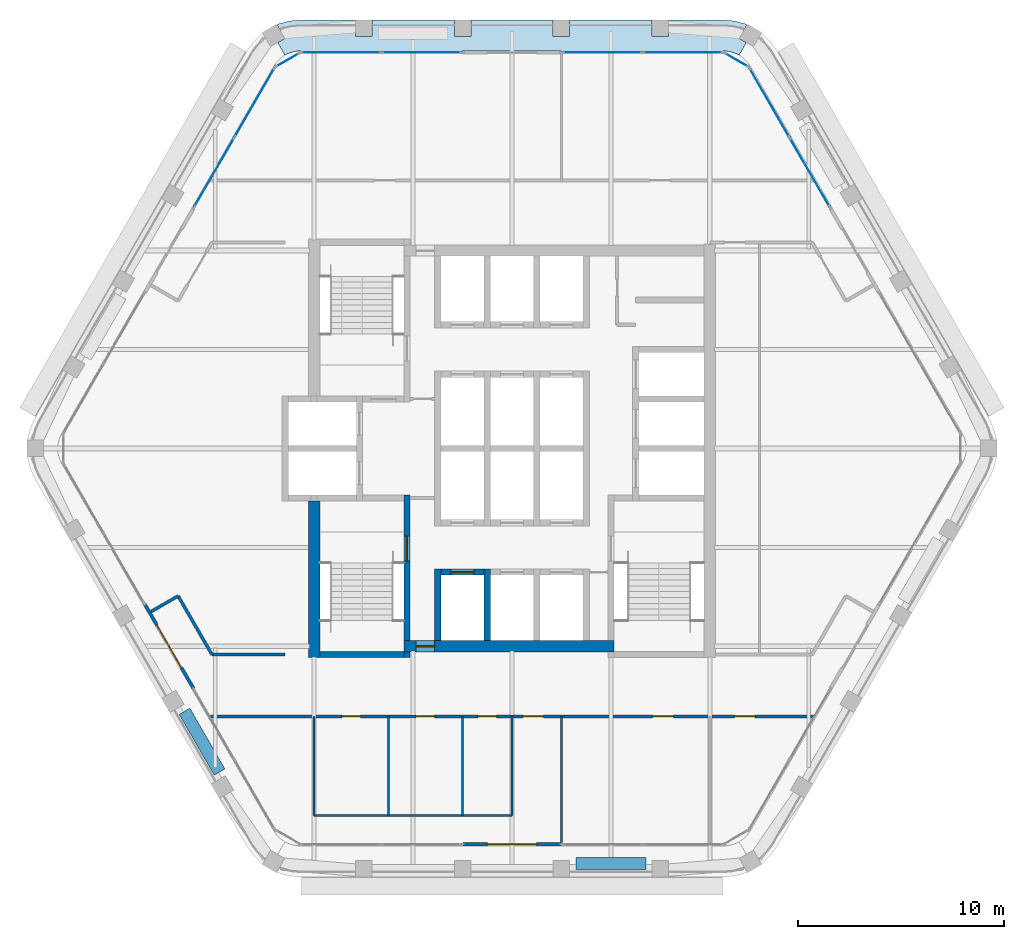
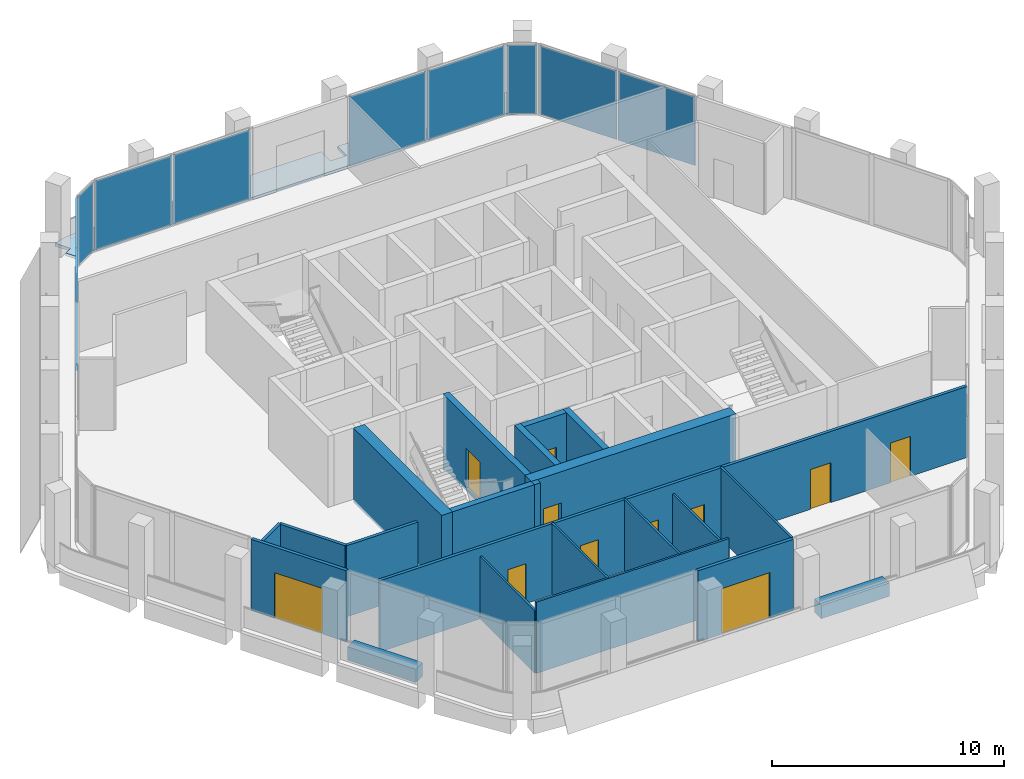
# One storey, part 7 of 13: 22 walls, 11 doors, 10 plates, 1 slab, 11 openings, 6 elements without a shape of their own.
"""IFC4 building model written with IfcOpenShell, lengths in metres."""

from ifc_helpers import new_model, si_unit, direction, frame, frame_2d, origin, origin_2d, place, context, subcontext, project, spatial, polyline, rectangle, outline, extrude, material, layer, layer_set, type_object, element, fill, aggregate, save


model = new_model("IFC4")

# Units and contexts
model_context = context("Model", 3, precision=1e-05, world=origin(), true_north=direction((0.0, 1.0)))
body_context = subcontext(model_context, "Body", "Model", "MODEL_VIEW")
ifc_project = project(units=[si_unit("LENGTHUNIT", "METRE"), si_unit("AREAUNIT", "SQUARE_METRE"), si_unit("VOLUMEUNIT", "CUBIC_METRE"), si_unit("PLANEANGLEUNIT", "RADIAN"), si_unit("MASSUNIT", "GRAM", prefix="KILO")], contexts=[model_context])

# Site, building, storey
site_placement = place(None, origin())
site = spatial("IfcSite", under=ifc_project, at=site_placement, CompositionType="ELEMENT")
building_placement = place(site_placement, origin())
building = spatial("IfcBuilding", under=site, at=building_placement, Name="Kolab Exchange Tower", CompositionType="ELEMENT")
storey_placement = place(building_placement, frame((0.0, 0.0, 273.5)))
storey = spatial("IfcBuildingStorey", under=building, at=storey_placement, Name="L61", CompositionType="ELEMENT", Elevation=273.5)

# Slab
ifc_material_1 = material(Name="Concrete C35/45", Category="concrete")
ifc_layer_1 = layer(ifc_material_1, 0.14990234375)
ifc_layer_set_1 = layer_set([ifc_layer_1], Name="Concrete C35/45")
slab_type = type_object("IfcSlabType", Name="LOGGIA SLAB 150", PredefinedType="FLOOR", material=ifc_layer_set_1)
slab_placement = place(storey_placement, frame((0.0, 0.0, -0.14990234375)))
element("IfcSlab", 1, at=slab_placement, inside=storey, type_object=slab_type, Name="slab/L61/loggia/0-0", PredefinedType="FLOOR", context=body_context, shape_type="SweptSolid", body=[
    extrude(outline(polyline([(11.01806640625, 19.083740234375), (11.367919921875, 19.68994140625), (11.021484375, 19.889892578125), (11.404052734375, 20.552490234375), (11.2939453125, 20.603759765625), (10.788818359375, 20.739013671875), (10.26806640625, 20.78466796875), (7.60009765625, 20.78466796875), (7.60009765625, 19.984619140625), (6.800048828125, 19.984619140625), (6.800048828125, 20.78466796875), (2.800048828125, 20.78466796875), (2.800048828125, 19.984619140625), (2.0, 19.984619140625), (2.0, 20.78466796875), (-2.0, 20.78466796875), (-2.0, 19.984619140625), (-2.800048828125, 19.984619140625), (-2.800048828125, 20.78466796875), (-6.800048828125, 20.78466796875), (-6.800048828125, 19.984619140625), (-7.60009765625, 19.984619140625), (-7.60009765625, 20.78466796875), (-10.26806640625, 20.78466796875), (-10.788818359375, 20.739013671875), (-11.2939453125, 20.603759765625), (-11.404052734375, 20.552490234375), (-11.021484375, 19.889892578125), (-11.367919921875, 19.68994140625), (-11.01806640625, 19.083740234375), (-10.781005859375, 19.194091796875), (-10.5283203125, 19.26171875), (-10.26806640625, 19.28466796875), (10.26806640625, 19.28466796875), (10.5283203125, 19.26171875), (10.781005859375, 19.194091796875), (11.01806640625, 19.083740234375)])), origin(), (0.0, 0.0, 1.0), 0.14990234375),
])

# Curtain wall, plates
ifc_material_2 = material(Name="Aluminium EN AW-6063 T6", Category="aluminium")
curtain_wall_type = type_object("IfcCurtainWallType", Name="UNITISED HIGH ZONE CURTAIN WALL", PredefinedType="NOTDEFINED", material=ifc_material_2)
curtain_wall_1_placement = place(storey_placement, origin())
curtain_wall_1 = element("IfcCurtainWall", 2, at=curtain_wall_1_placement, inside=storey, type_object=curtain_wall_type, Name="cw/L61/F1-1", PredefinedType="NOTDEFINED")
ifc_material_3 = material(Name="Clear insulated glazing unit", Category="glass")
ifc_layer_2 = layer(ifc_material_3, 0.030029296875)
ifc_layer_set_2 = layer_set([ifc_layer_2], Name="Clear insulated glazing unit")
plate_type = type_object("IfcPlateType", Name="UNITISED HIGH ZONE GLASS PANEL 30", PredefinedType="CURTAIN_PANEL", material=ifc_layer_set_2)
plate_1_placement = place(storey_placement, frame((-8.285888671875, 19.20458984375, 0.06005859375), z_axis=(0.0, 0.0, 1.0), x_axis=(1.0, 0.0, 0.0)))
plate_1 = element("IfcPlate", 3, at=plate_1_placement, type_object=plate_type, Name="CW4 panel 1.1", PredefinedType="CURTAIN_PANEL", context=body_context, shape_type="SweptSolid", body=[
    extrude(rectangle(XDim=3.843994140625, YDim=0.030029296875, at=origin_2d()), origin(), (0.0, 0.0, 1.0), 3.6298828125),
])
plate_2_placement = place(storey_placement, frame((-4.382080078125, 19.20458984375, 0.06005859375), z_axis=(0.0, 0.0, 1.0), x_axis=(1.0, 0.0, 0.0)))
plate_2 = element("IfcPlate", 4, at=plate_2_placement, type_object=plate_type, Name="CW4 panel 2.1", PredefinedType="CURTAIN_PANEL", context=body_context, shape_type="SweptSolid", body=[
    extrude(rectangle(XDim=3.843994140625, YDim=0.030029296875, at=origin_2d()), origin(), (0.0, 0.0, 1.0), 3.6298828125),
])
aggregate(curtain_wall_1, [plate_1, plate_2])

curtain_wall_2_placement = place(storey_placement, origin())
curtain_wall_2 = element("IfcCurtainWall", 5, at=curtain_wall_2_placement, inside=storey, type_object=curtain_wall_type, Name="cw/L61/F1-2", PredefinedType="NOTDEFINED")
plate_3_placement = place(storey_placement, frame((4.382080078125, 19.20458984375, 0.06005859375), z_axis=(0.0, 0.0, 1.0), x_axis=(1.0, 0.0, 0.0)))
plate_3 = element("IfcPlate", 6, at=plate_3_placement, type_object=plate_type, Name="CW4 panel 1.1", PredefinedType="CURTAIN_PANEL", context=body_context, shape_type="SweptSolid", body=[
    extrude(rectangle(XDim=3.843994140625, YDim=0.030029296875, at=origin_2d()), origin(), (0.0, 0.0, 1.0), 3.6298828125),
])
plate_4_placement = place(storey_placement, frame((8.285888671875, 19.20458984375, 0.06005859375), z_axis=(0.0, 0.0, 1.0), x_axis=(1.0, 0.0, 0.0)))
plate_4 = element("IfcPlate", 7, at=plate_4_placement, type_object=plate_type, Name="CW4 panel 2.1", PredefinedType="CURTAIN_PANEL", context=body_context, shape_type="SweptSolid", body=[
    extrude(rectangle(XDim=3.843994140625, YDim=0.030029296875, at=origin_2d()), origin(), (0.0, 0.0, 1.0), 3.6298828125),
])
aggregate(curtain_wall_2, [plate_3, plate_4])

curtain_wall_3_placement = place(storey_placement, origin())
curtain_wall_3 = element("IfcCurtainWall", 8, at=curtain_wall_3_placement, inside=storey, type_object=curtain_wall_type, Name="cw/L61/F2-1", PredefinedType="NOTDEFINED")
plate_5_placement = place(storey_placement, frame((12.48876953125, 16.778076171875, 0.06005859375), z_axis=(0.0, 0.0, 1.0), x_axis=(0.500000031681, -0.866025385493, 0.0)))
plate_5 = element("IfcPlate", 9, at=plate_5_placement, type_object=plate_type, Name="CW4 panel 1.1", PredefinedType="CURTAIN_PANEL", context=body_context, shape_type="SweptSolid", body=[
    extrude(rectangle(XDim=3.843994140625, YDim=0.030029296875, at=origin_2d()), origin(), (0.0, 0.0, 1.0), 3.6298828125),
])
plate_6_placement = place(storey_placement, frame((14.440673828125, 13.397216796875, 0.06005859375), z_axis=(0.0, 0.0, 1.0), x_axis=(0.500000031681, -0.866025385493, 0.0)))
plate_6 = element("IfcPlate", 10, at=plate_6_placement, type_object=plate_type, Name="CW4 panel 2.1", PredefinedType="CURTAIN_PANEL", context=body_context, shape_type="SweptSolid", body=[
    extrude(rectangle(XDim=3.843994140625, YDim=0.030029296875, at=origin_2d()), origin(), (0.0, 0.0, 1.0), 3.6298828125),
])
aggregate(curtain_wall_3, [plate_5, plate_6])

curtain_wall_4_placement = place(storey_placement, origin())
curtain_wall_4 = element("IfcCurtainWall", 11, at=curtain_wall_4_placement, inside=storey, type_object=curtain_wall_type, Name="cw/L61/F6-2", PredefinedType="NOTDEFINED")
plate_7_placement = place(storey_placement, frame((-14.440673828125, 13.397216796875, 0.06005859375), z_axis=(0.0, 0.0, 1.0), x_axis=(0.500000031681, 0.866025385493, 0.0)))
plate_7 = element("IfcPlate", 12, at=plate_7_placement, type_object=plate_type, Name="CW4 panel 1.1", PredefinedType="CURTAIN_PANEL", context=body_context, shape_type="SweptSolid", body=[
    extrude(rectangle(XDim=3.843994140625, YDim=0.030029296875, at=origin_2d()), origin(), (0.0, 0.0, 1.0), 3.6298828125),
])
plate_8_placement = place(storey_placement, frame((-12.48876953125, 16.778076171875, 0.06005859375), z_axis=(0.0, 0.0, 1.0), x_axis=(0.500000031681, 0.866025385493, 0.0)))
plate_8 = element("IfcPlate", 13, at=plate_8_placement, type_object=plate_type, Name="CW4 panel 2.1", PredefinedType="CURTAIN_PANEL", context=body_context, shape_type="SweptSolid", body=[
    extrude(rectangle(XDim=3.843994140625, YDim=0.030029296875, at=origin_2d()), origin(), (0.0, 0.0, 1.0), 3.6298828125),
])
aggregate(curtain_wall_4, [plate_7, plate_8])

# Curtain wall, plate
curtain_wall_5_placement = place(storey_placement, origin())
curtain_wall_5 = element("IfcCurtainWall", 14, at=curtain_wall_5_placement, inside=storey, type_object=curtain_wall_type, Name="cw/L61/F1F2-corner", PredefinedType="NOTDEFINED")
plate_9_placement = place(storey_placement, frame((10.8828125, 18.849609375, 0.06005859375), z_axis=(0.0, 0.0, 1.0), x_axis=(0.866025390869, -0.50000002237, 0.0)))
plate_9 = element("IfcPlate", 15, at=plate_9_placement, type_object=plate_type, Name="CW4 panel 1.1", PredefinedType="CURTAIN_PANEL", context=body_context, shape_type="SweptSolid", body=[
    extrude(rectangle(XDim=1.300048828125, YDim=0.030029296875, at=origin_2d()), origin(), (0.0, 0.0, 1.0), 3.6298828125),
])
aggregate(curtain_wall_5, [plate_9])

curtain_wall_6_placement = place(storey_placement, origin())
curtain_wall_6 = element("IfcCurtainWall", 16, at=curtain_wall_6_placement, inside=storey, type_object=curtain_wall_type, Name="cw/L61/F6F1-corner", PredefinedType="NOTDEFINED")
plate_10_placement = place(storey_placement, frame((-10.8828125, 18.849609375, 0.06005859375), z_axis=(0.0, 0.0, 1.0), x_axis=(0.866025390869, 0.50000002237, 0.0)))
plate_10 = element("IfcPlate", 17, at=plate_10_placement, type_object=plate_type, Name="CW4 panel 1.1", PredefinedType="CURTAIN_PANEL", context=body_context, shape_type="SweptSolid", body=[
    extrude(rectangle(XDim=1.300048828125, YDim=0.030029296875, at=origin_2d()), origin(), (0.0, 0.0, 1.0), 3.6298828125),
])
aggregate(curtain_wall_6, [plate_10])

# Wall, opening, door
ifc_material_4 = material(Name="Concrete C50/60", Category="concrete")
ifc_layer_3 = layer(ifc_material_4, 0.550048828125)
ifc_layer_set_3 = layer_set([ifc_layer_3], Name="Concrete C50/60")
wall_type_1 = type_object("IfcWallType", Name="CORE WALL 550 C50/60", PredefinedType="SHEAR", material=ifc_layer_set_3)
wall_1_placement = place(storey_placement, frame((-5.25, -9.60009765625, -0.14990234375), z_axis=(0.0, 0.0, 1.0), x_axis=(1.0, 0.0, 0.0)))
wall_1 = element("IfcWall", 18, at=wall_1_placement, inside=storey, type_object=wall_type_1, Name="wall/L61/core/002", PredefinedType="SHEAR", context=body_context, shape_type="SweptSolid", body=[
    extrude(rectangle(XDim=10.199951171875, YDim=0.550048828125, at=frame_2d((5.10009765625, 0.0))), origin(), (0.0, 0.0, 1.0), 3.89990234375),
])
opening_1_placement = place(wall_1_placement, frame((0.60009765625, 0.0, 0.14990234375)))
opening_1 = element("IfcOpeningElement", 19, at=opening_1_placement, cuts=wall_1, Name="Opening D6-297", PredefinedType="OPENING", context=body_context, shape_type="SweptSolid", body=[
    extrude(rectangle(XDim=0.89990234375, YDim=2.10009765625, at=frame_2d((0.449951171875, 1.050048828125))), frame((0.0, 0.28515625, 0.0), z_axis=(0.0, -1.0, 0.0), x_axis=(1.0, 0.0, 0.0)), (0.0, 0.0, 1.0), 0.570068359375),
])
ifc_material_5 = material(Name="Steel S235", Category="steel")
door_type_1 = type_object("IfcDoorType", Name="CORE DOOR 900 EI 120", OperationType="SINGLE_SWING_LEFT", PredefinedType="DOOR", material=ifc_material_5)
door_1_placement = place(opening_1_placement, origin())
door_1 = element("IfcDoor", 20, at=door_1_placement, inside=storey, type_object=door_type_1, Name="Core lobby door", OperationType="SINGLE_SWING_RIGHT", OverallHeight=2.10009765625, OverallWidth=0.89990234375, PredefinedType="DOOR", context=body_context, shape_type="SweptSolid", body=[
    extrude(rectangle(XDim=0.89990234375, YDim=2.10009765625, at=frame_2d((0.449951171875, 1.050048828125))), frame((0.0, 0.02490234375, 0.0), z_axis=(0.0, -1.0, 0.0), x_axis=(1.0, 0.0, 0.0)), (0.0, 0.0, 1.0), 0.050048828125),
])
fill(opening_1, door_1)

# Wall
wall_2_placement = place(storey_placement, frame((-9.60009765625, -10.14990234375, -0.14990234375), z_axis=(0.0, 0.0, 1.0), x_axis=(0.0, 1.0, 0.0)))
element("IfcWall", 21, at=wall_2_placement, inside=storey, type_object=wall_type_1, Name="wall/L61/core/034", PredefinedType="SHEAR", context=body_context, shape_type="SweptSolid", body=[
    extrude(rectangle(XDim=7.599853515625, YDim=0.550048828125, at=frame_2d((3.7998046875, 0.0))), origin(), (0.0, 0.0, 1.0), 3.89990234375),
])

# Wall, opening, door
ifc_layer_4 = layer(ifc_material_2, 0.159912109375)
ifc_layer_set_4 = layer_set([ifc_layer_4], Name="Aluminium EN AW-6063 T6")
wall_type_2 = type_object("IfcWallType", Name="DOOR SURROUND WALL 160 ALUMINIUM FRAMED", PredefinedType="PARTITIONING", material=ifc_layer_set_4)
wall_3_placement = place(storey_placement, frame((2.3701171875, -19.20458984375, 0.0), z_axis=(0.0, 0.0, 1.0), x_axis=(-1.0, 0.0, 0.0)))
wall_3 = element("IfcWall", 22, at=wall_3_placement, inside=storey, type_object=wall_type_2, Name="Door surround wall", PredefinedType="PARTITIONING", context=body_context, shape_type="SweptSolid", body=[
    extrude(rectangle(XDim=4.740234375, YDim=0.159912109375, at=frame_2d((2.3701171875, 0.0))), origin(), (0.0, 0.0, 1.0), 3.75),
])
opening_2_placement = place(wall_3_placement, frame((1.169921875, 0.0, 0.0)))
opening_2 = element("IfcOpeningElement", 23, at=opening_2_placement, cuts=wall_3, Name="Opening GD1-092", PredefinedType="OPENING", context=body_context, shape_type="SweptSolid", body=[
    extrude(rectangle(XDim=2.39990234375, YDim=2.39990234375, at=frame_2d((1.199951171875, 1.199951171875))), frame((0.0, 0.08984375, 0.0), z_axis=(0.0, -1.0, 0.0), x_axis=(1.0, 0.0, 0.0)), (0.0, 0.0, 1.0), 0.179931640625),
])
door_type_2 = type_object("IfcDoorType", Name="LOGGIA SLIDING GLASS DOOR 2400 X 2400", OperationType="DOUBLE_DOOR_SINGLE_SWING", PredefinedType="DOOR", material=ifc_material_2)
door_2_placement = place(opening_2_placement, origin())
door_2 = element("IfcDoor", 24, at=door_2_placement, inside=storey, type_object=door_type_2, Name="Loggia door", OperationType="DOUBLE_DOOR_SLIDING", OverallHeight=2.39990234375, OverallWidth=2.39990234375, PredefinedType="DOOR", context=body_context, shape_type="SweptSolid", body=[
    extrude(rectangle(XDim=2.39990234375, YDim=2.39990234375, at=frame_2d((1.199951171875, 1.199951171875))), frame((0.0, 0.02490234375, 0.0), z_axis=(0.0, -1.0, 0.0), x_axis=(1.0, 0.0, 0.0)), (0.0, 0.0, 1.0), 0.050048828125),
])
fill(opening_2, door_2)

wall_4_placement = place(storey_placement, frame((-15.44677734375, -11.65478515625, 0.0), z_axis=(0.0, 0.0, 1.0), x_axis=(-0.499978080042, 0.866038058908, 0.0)))
wall_4 = element("IfcWall", 25, at=wall_4_placement, inside=storey, type_object=wall_type_2, Name="Door surround wall", PredefinedType="PARTITIONING", context=body_context, shape_type="SweptSolid", body=[
    extrude(rectangle(XDim=4.739990234375, YDim=0.159912109375, at=frame_2d((2.3701171875, 0.0))), origin(), (0.0, 0.0, 1.0), 3.75),
])
opening_3_placement = place(wall_4_placement, frame((1.169921875, 0.0, 0.0)))
opening_3 = element("IfcOpeningElement", 26, at=opening_3_placement, cuts=wall_4, Name="Opening GD1-093", PredefinedType="OPENING", context=body_context, shape_type="SweptSolid", body=[
    extrude(rectangle(XDim=2.39990234375, YDim=2.39990234375, at=frame_2d((1.199951171875, 1.199951171875))), frame((0.0, 0.08984375, 0.0), z_axis=(0.0, -1.0, 0.0), x_axis=(1.0, 0.0, 0.0)), (0.0, 0.0, 1.0), 0.179931640625),
])
door_3_placement = place(opening_3_placement, origin())
door_3 = element("IfcDoor", 27, at=door_3_placement, inside=storey, type_object=door_type_2, Name="Loggia door", OperationType="DOUBLE_DOOR_SLIDING", OverallHeight=2.39990234375, OverallWidth=2.39990234375, PredefinedType="DOOR", context=body_context, shape_type="SweptSolid", body=[
    extrude(rectangle(XDim=2.39990234375, YDim=2.39990234375, at=frame_2d((1.199951171875, 1.199951171875))), frame((0.0, 0.02490234375, 0.0), z_axis=(0.0, -1.0, 0.0), x_axis=(1.0, 0.0, 0.0)), (0.0, 0.0, 1.0), 0.050048828125),
])
fill(opening_3, door_3)

ifc_layer_5 = layer(ifc_material_4, 0.300048828125)
ifc_layer_set_5 = layer_set([ifc_layer_5], Name="Concrete C50/60")
wall_type_3 = type_object("IfcWallType", Name="LIFT SHAFT WALL 300 C50/60", PredefinedType="STANDARD", material=ifc_layer_set_5)
wall_5_placement = place(storey_placement, frame((-3.449951171875, -6.0, -0.14990234375), z_axis=(0.0, 0.0, 1.0), x_axis=(1.0, 0.0, 0.0)))
wall_5 = element("IfcWall", 28, at=wall_5_placement, inside=storey, type_object=wall_type_3, Name="wall/L61/core/003", PredefinedType="STANDARD", context=body_context, shape_type="SweptSolid", body=[
    extrude(rectangle(XDim=2.099853515625, YDim=0.300048828125, at=frame_2d((1.0498046875, 0.0))), origin(), (0.0, 0.0, 1.0), 3.89990234375),
])
opening_4_placement = place(wall_5_placement, frame((0.5, 0.0, 0.14990234375)))
opening_4 = element("IfcOpeningElement", 29, at=opening_4_placement, cuts=wall_5, Name="Opening LD1-110", PredefinedType="OPENING", context=body_context, shape_type="SweptSolid", body=[
    extrude(rectangle(XDim=1.10009765625, YDim=2.10009765625, at=frame_2d((0.550048828125, 1.050048828125))), frame((0.0, 0.16015625, 0.0), z_axis=(0.0, -1.0, 0.0), x_axis=(1.0, 0.0, 0.0)), (0.0, 0.0, 1.0), 0.320068359375),
])
ifc_material_6 = material(Name="Stainless steel 316", Category="steel")
door_type_3 = type_object("IfcDoorType", Name="LANDING DOOR 1100 PASSENGER", OperationType="DOUBLE_DOOR_SLIDING", PredefinedType="DOOR", material=ifc_material_6)
door_4_placement = place(opening_4_placement, origin())
door_4 = element("IfcDoor", 30, at=door_4_placement, inside=storey, type_object=door_type_3, Name="Landing door HR10", OperationType="DOUBLE_DOOR_SLIDING", OverallHeight=2.10009765625, OverallWidth=1.10009765625, PredefinedType="DOOR", context=body_context, shape_type="SweptSolid", body=[
    extrude(rectangle(XDim=1.10009765625, YDim=2.10009765625, at=frame_2d((0.550048828125, 1.050048828125))), frame((0.0, 0.02490234375, 0.0), z_axis=(0.0, -1.0, 0.0), x_axis=(1.0, 0.0, 0.0)), (0.0, 0.0, 1.0), 0.050048828125),
])
fill(opening_4, door_4)

# Walls
for number, where, z_axis, x_axis, name in (
    (31, (-3.60009765625, -9.324951171875, -0.14990234375), (0.0, 0.0, 1.0), (0.0, 1.0, 0.0), "wall/L61/core/043"),
    (32, (-1.199951171875, -9.324951171875, -0.14990234375), (0.0, 0.0, 1.0), (0.0, 1.0, 0.0), "wall/L61/core/046"),
):
    element("IfcWall", number, at=place(storey_placement, frame(where, z_axis=z_axis, x_axis=x_axis)), inside=storey, type_object=wall_type_3, Name=name, PredefinedType="STANDARD", context=body_context, shape_type="SweptSolid", body=[
        extrude(rectangle(XDim=3.474853515625, YDim=0.300048828125, at=frame_2d((1.7373046875, 0.0))), origin(), (0.0, 0.0, 1.0), 3.89990234375),
    ])
ifc_material_7 = material(Name="Gypsum board", Category="gypsum")
ifc_layer_6 = layer(ifc_material_7, 0.10009765625)
ifc_layer_set_6 = layer_set([ifc_layer_6], Name="Gypsum board")
wall_type_4 = type_object("IfcWallType", Name="PARTITION 100", PredefinedType="PARTITIONING", material=ifc_layer_set_6)
wall_6_placement = place(storey_placement, frame((2.39990234375, -19.12451171875, 0.0), z_axis=(0.0, 0.0, 1.0), x_axis=(0.0, 1.0, 0.0)))
element("IfcWall", 33, at=wall_6_placement, inside=storey, type_object=wall_type_4, Name="Partition 003", PredefinedType="PARTITIONING", context=body_context, shape_type="SweptSolid", body=[
    extrude(rectangle(XDim=6.12451171875, YDim=0.10009765625, at=frame_2d((3.062255859375, 0.0))), origin(), (0.0, 0.0, 1.0), 3.75),
])
wall_7_placement = place(storey_placement, frame((0.0, -17.800048828125, 0.0), z_axis=(0.0, 0.0, 1.0), x_axis=(0.0, 1.0, 0.0)))
element("IfcWall", 34, at=wall_7_placement, inside=storey, type_object=wall_type_4, Name="Partition 005", PredefinedType="PARTITIONING", context=body_context, shape_type="SweptSolid", body=[
    extrude(rectangle(XDim=4.800048828125, YDim=0.10009765625, at=frame_2d((2.39990234375, 0.0))), origin(), (0.0, 0.0, 1.0), 3.217041015625),
])
for number, where, z_axis, x_axis, name in (
    (35, (-2.39990234375, -17.800048828125, 0.0), (0.0, 0.0, 1.0), (0.0, 1.0, 0.0), "Partition 006"),
    (36, (-6.0, -17.800048828125, 0.0), (0.0, 0.0, 1.0), (0.0, 1.0, 0.0), "Partition 007"),
):
    element("IfcWall", number, at=place(storey_placement, frame(where, z_axis=z_axis, x_axis=x_axis)), inside=storey, type_object=wall_type_4, Name=name, PredefinedType="PARTITIONING", context=body_context, shape_type="SweptSolid", body=[
        extrude(rectangle(XDim=4.800048828125, YDim=0.10009765625, at=frame_2d((2.39990234375, 0.0))), origin(), (0.0, 0.0, 1.0), 3.75),
    ])
wall_8_placement = place(storey_placement, frame((-9.60009765625, -17.800048828125, 0.0), z_axis=(0.0, 0.0, 1.0), x_axis=(0.0, 1.0, 0.0)))
element("IfcWall", 37, at=wall_8_placement, inside=storey, type_object=wall_type_4, Name="Partition 008", PredefinedType="PARTITIONING", context=body_context, shape_type="SweptSolid", body=[
    extrude(rectangle(XDim=4.800048828125, YDim=0.10009765625, at=frame_2d((2.39990234375, 0.0))), origin(), (0.0, 0.0, 1.0), 3.29296875),
])
wall_9_placement = place(storey_placement, frame((-9.60009765625, -17.800048828125, 0.0), z_axis=(0.0, 0.0, 1.0), x_axis=(1.0, 0.0, 0.0)))
element("IfcWall", 38, at=wall_9_placement, inside=storey, type_object=wall_type_4, Name="Partition 017", PredefinedType="PARTITIONING", context=body_context, shape_type="SweptSolid", body=[
    extrude(rectangle(XDim=9.60009765625, YDim=0.10009765625, at=frame_2d((4.800048828125, 0.0))), origin(), (0.0, 0.0, 1.0), 3.75),
])
ifc_layer_7 = layer(ifc_material_7, 0.14990234375)
ifc_layer_set_7 = layer_set([ifc_layer_7], Name="Gypsum board")
wall_type_5 = type_object("IfcWallType", Name="PARTITION 150 FIRE-RATED", PredefinedType="PARTITIONING", material=ifc_layer_set_7)
wall_10_placement = place(storey_placement, frame((-16.196044921875, -7.15673828125, 0.0), z_axis=(0.0, 0.0, 1.0), x_axis=(0.499954196102, -0.866051847062, 0.0)))
element("IfcWall", 39, at=wall_10_placement, inside=storey, type_object=wall_type_5, Name="Partition 009", PredefinedType="PARTITIONING", context=body_context, shape_type="SweptSolid", body=[
    extrude(rectangle(XDim=3.282958984375, YDim=0.14990234375, at=frame_2d((1.6416015625, 0.0))), origin(), (0.0, 0.0, 1.0), 3.75),
])
wall_11_placement = place(storey_placement, frame((-17.512451171875, -7.9169921875, 0.0), z_axis=(0.0, 0.0, 1.0), x_axis=(0.865960906633, 0.500111695708, 0.0)))
element("IfcWall", 40, at=wall_11_placement, inside=storey, type_object=wall_type_5, Name="Partition 016", PredefinedType="PARTITIONING", context=body_context, shape_type="SweptSolid", body=[
    extrude(rectangle(XDim=1.520263671875, YDim=0.14990234375, at=frame_2d((0.76025390625, 0.0))), origin(), (0.0, 0.0, 1.0), 3.75),
])

# Wall, openings, doors
wall_12_placement = place(storey_placement, frame((-14.623779296875, -13.0, 0.0), z_axis=(0.0, 0.0, 1.0), x_axis=(1.0, 0.0, 0.0)))
wall_12 = element("IfcWall", 41, at=wall_12_placement, inside=storey, type_object=wall_type_5, Name="Partition 018", PredefinedType="PARTITIONING", context=body_context, shape_type="SweptSolid", body=[
    extrude(rectangle(XDim=29.24755859375, YDim=0.14990234375, at=frame_2d((14.623779296875, 0.0))), origin(), (0.0, 0.0, 1.0), 3.75),
])
opening_5_placement = place(wall_12_placement, frame((6.373779296875, 0.0, 0.0)))
opening_5 = element("IfcOpeningElement", 42, at=opening_5_placement, cuts=wall_12, Name="Opening D3-088", PredefinedType="OPENING", context=body_context, shape_type="SweptSolid", body=[
    extrude(rectangle(XDim=0.89990234375, YDim=2.10009765625, at=frame_2d((0.449951171875, 1.050048828125))), frame((0.0, 0.0849609375, 0.0), z_axis=(0.0, -1.0, 0.0), x_axis=(1.0, 0.0, 0.0)), (0.0, 0.0, 1.0), 0.169921875),
])
opening_6_placement = place(wall_12_placement, frame((9.973876953125, 0.0, 0.0)))
opening_6 = element("IfcOpeningElement", 43, at=opening_6_placement, cuts=wall_12, Name="Opening D3-089", PredefinedType="OPENING", context=body_context, shape_type="SweptSolid", body=[
    extrude(rectangle(XDim=0.89990234375, YDim=2.10009765625, at=frame_2d((0.449951171875, 1.050048828125))), frame((0.0, 0.0849609375, 0.0), z_axis=(0.0, -1.0, 0.0), x_axis=(1.0, 0.0, 0.0)), (0.0, 0.0, 1.0), 0.169921875),
])
opening_7_placement = place(wall_12_placement, frame((12.973876953125, 0.0, 0.0)))
opening_7 = element("IfcOpeningElement", 44, at=opening_7_placement, cuts=wall_12, Name="Opening D3-090", PredefinedType="OPENING", context=body_context, shape_type="SweptSolid", body=[
    extrude(rectangle(XDim=0.89990234375, YDim=2.10009765625, at=frame_2d((0.449951171875, 1.050048828125))), frame((0.0, 0.0849609375, 0.0), z_axis=(0.0, -1.0, 0.0), x_axis=(1.0, 0.0, 0.0)), (0.0, 0.0, 1.0), 0.169921875),
])
opening_8_placement = place(wall_12_placement, frame((15.148681640625, 0.0, 0.0)))
opening_8 = element("IfcOpeningElement", 45, at=opening_8_placement, cuts=wall_12, Name="Opening D1-729", PredefinedType="OPENING", context=body_context, shape_type="SweptSolid", body=[
    extrude(rectangle(XDim=1.0, YDim=2.10009765625, at=frame_2d((0.5, 1.050048828125))), frame((0.0, 0.0849609375, 0.0), z_axis=(0.0, -1.0, 0.0), x_axis=(1.0, 0.0, 0.0)), (0.0, 0.0, 1.0), 0.169921875),
])
opening_9_placement = place(wall_12_placement, frame((21.44873046875, 0.0, 0.0)))
opening_9 = element("IfcOpeningElement", 46, at=opening_9_placement, cuts=wall_12, Name="Opening D1-730", PredefinedType="OPENING", context=body_context, shape_type="SweptSolid", body=[
    extrude(rectangle(XDim=1.0, YDim=2.10009765625, at=frame_2d((0.5, 1.050048828125))), frame((0.0, 0.0849609375, 0.0), z_axis=(0.0, -1.0, 0.0), x_axis=(1.0, 0.0, 0.0)), (0.0, 0.0, 1.0), 0.169921875),
])
opening_10_placement = place(wall_12_placement, frame((25.414306640625, 0.0, 0.0)))
opening_10 = element("IfcOpeningElement", 47, at=opening_10_placement, cuts=wall_12, Name="Opening D1-720", PredefinedType="OPENING", context=body_context, shape_type="SweptSolid", body=[
    extrude(rectangle(XDim=1.0, YDim=2.10009765625, at=frame_2d((0.5, 1.050048828125))), frame((0.0, 0.0849609375, 0.0), z_axis=(0.0, -1.0, 0.0), x_axis=(1.0, 0.0, 0.0)), (0.0, 0.0, 1.0), 0.169921875),
])
door_type_4 = type_object("IfcDoorType", Name="FLUSH DOOR 1000 FD60", OperationType="SINGLE_SWING_LEFT", PredefinedType="DOOR", material=ifc_material_5)
door_5_placement = place(opening_8_placement, frame((1.0, 0.0, 0.0), z_axis=(0.0, 0.0, 1.0), x_axis=(-1.0, 0.0, 0.0)))
door_5 = element("IfcDoor", 48, at=door_5_placement, inside=storey, type_object=door_type_4, Name="Door L61-034", OperationType="SINGLE_SWING_LEFT", OverallHeight=2.10009765625, OverallWidth=1.0, PredefinedType="DOOR", context=body_context, shape_type="SweptSolid", body=[
    extrude(rectangle(XDim=1.0, YDim=2.10009765625, at=frame_2d((0.5, 1.050048828125))), frame((0.0, 0.02490234375, 0.0), z_axis=(0.0, -1.0, 0.0), x_axis=(1.0, 0.0, 0.0)), (0.0, 0.0, 1.0), 0.050048828125),
])
fill(opening_8, door_5)
door_6_placement = place(opening_9_placement, frame((1.0, 0.0, 0.0), z_axis=(0.0, 0.0, 1.0), x_axis=(-1.0, 0.0, 0.0)))
door_6 = element("IfcDoor", 49, at=door_6_placement, inside=storey, type_object=door_type_4, Name="Door L61-035", OperationType="SINGLE_SWING_RIGHT", OverallHeight=2.10009765625, OverallWidth=1.0, PredefinedType="DOOR", context=body_context, shape_type="SweptSolid", body=[
    extrude(rectangle(XDim=1.0, YDim=2.10009765625, at=frame_2d((0.5, 1.050048828125))), frame((0.0, 0.02490234375, 0.0), z_axis=(0.0, -1.0, 0.0), x_axis=(1.0, 0.0, 0.0)), (0.0, 0.0, 1.0), 0.050048828125),
])
fill(opening_9, door_6)
door_7_placement = place(opening_10_placement, frame((1.0, 0.0, 0.0), z_axis=(0.0, 0.0, 1.0), x_axis=(-1.0, 0.0, 0.0)))
door_7 = element("IfcDoor", 50, at=door_7_placement, inside=storey, type_object=door_type_4, Name="Door L61-036", OperationType="SINGLE_SWING_LEFT", OverallHeight=2.10009765625, OverallWidth=1.0, PredefinedType="DOOR", context=body_context, shape_type="SweptSolid", body=[
    extrude(rectangle(XDim=1.0, YDim=2.10009765625, at=frame_2d((0.5, 1.050048828125))), frame((0.0, 0.02490234375, 0.0), z_axis=(0.0, -1.0, 0.0), x_axis=(1.0, 0.0, 0.0)), (0.0, 0.0, 1.0), 0.050048828125),
])
fill(opening_10, door_7)
door_type_5 = type_object("IfcDoorType", Name="FLUSH DOOR 900 FD60", OperationType="SINGLE_SWING_LEFT", PredefinedType="DOOR", material=ifc_material_5)
door_8_placement = place(opening_5_placement, frame((0.89990234375, 0.0, 0.0), z_axis=(0.0, 0.0, 1.0), x_axis=(-1.0, 0.0, 0.0)))
door_8 = element("IfcDoor", 51, at=door_8_placement, inside=storey, type_object=door_type_5, Name="Door L61-031", OperationType="SINGLE_SWING_RIGHT", OverallHeight=2.10009765625, OverallWidth=0.89990234375, PredefinedType="DOOR", context=body_context, shape_type="SweptSolid", body=[
    extrude(rectangle(XDim=0.89990234375, YDim=2.10009765625, at=frame_2d((0.449951171875, 1.050048828125))), frame((0.0, 0.02490234375, 0.0), z_axis=(0.0, -1.0, 0.0), x_axis=(1.0, 0.0, 0.0)), (0.0, 0.0, 1.0), 0.050048828125),
])
fill(opening_5, door_8)
door_9_placement = place(opening_6_placement, frame((0.89990234375, 0.0, 0.0), z_axis=(0.0, 0.0, 1.0), x_axis=(-1.0, 0.0, 0.0)))
door_9 = element("IfcDoor", 52, at=door_9_placement, inside=storey, type_object=door_type_5, Name="Door L61-032", OperationType="SINGLE_SWING_RIGHT", OverallHeight=2.10009765625, OverallWidth=0.89990234375, PredefinedType="DOOR", context=body_context, shape_type="SweptSolid", body=[
    extrude(rectangle(XDim=0.89990234375, YDim=2.10009765625, at=frame_2d((0.449951171875, 1.050048828125))), frame((0.0, 0.02490234375, 0.0), z_axis=(0.0, -1.0, 0.0), x_axis=(1.0, 0.0, 0.0)), (0.0, 0.0, 1.0), 0.050048828125),
])
fill(opening_6, door_9)
door_10_placement = place(opening_7_placement, frame((0.89990234375, 0.0, 0.0), z_axis=(0.0, 0.0, 1.0), x_axis=(-1.0, 0.0, 0.0)))
door_10 = element("IfcDoor", 53, at=door_10_placement, inside=storey, type_object=door_type_5, Name="Door L61-033", OperationType="SINGLE_SWING_RIGHT", OverallHeight=2.10009765625, OverallWidth=0.89990234375, PredefinedType="DOOR", context=body_context, shape_type="SweptSolid", body=[
    extrude(rectangle(XDim=0.89990234375, YDim=2.10009765625, at=frame_2d((0.449951171875, 1.050048828125))), frame((0.0, 0.02490234375, 0.0), z_axis=(0.0, -1.0, 0.0), x_axis=(1.0, 0.0, 0.0)), (0.0, 0.0, 1.0), 0.050048828125),
])
fill(opening_7, door_10)

# Walls
wall_13_placement = place(storey_placement, frame((-14.5546875, -10.0, 0.0), z_axis=(0.0, 0.0, 1.0), x_axis=(1.0, 0.0, 0.0)))
element("IfcWall", 54, at=wall_13_placement, inside=storey, type_object=wall_type_5, Name="Partition 019", PredefinedType="PARTITIONING", context=body_context, shape_type="SweptSolid", body=[
    extrude(rectangle(XDim=3.5546875, YDim=0.14990234375, at=frame_2d((1.77734375, 0.0))), origin(), (0.0, 0.0, 1.0), 3.75),
])
ifc_material_8 = material(Name="Granite facing", Category="masonry")
ifc_layer_8 = layer(ifc_material_8, 0.0400390625)
ifc_material_9 = material(Name="Concrete C40/50 precast", Category="concrete")
ifc_layer_9 = layer(ifc_material_9, 0.56005859375)
ifc_layer_set_8 = layer_set([ifc_layer_8, ifc_layer_9], Name="Concrete C40/50 precast")
wall_type_6 = type_object("IfcWallType", Name="PLANTER BOX 600 X 700 SOIL DEPTH 550", PredefinedType="USERDEFINED", material=ifc_layer_set_8)
wall_14_placement = place(storey_placement, frame((6.5, -20.134521484375, 0.0), z_axis=(0.0, 0.0, 1.0), x_axis=(-1.0, 0.0, 0.0)))
element("IfcWall", 55, at=wall_14_placement, inside=storey, type_object=wall_type_6, Name="Planter", ObjectType="PLANTER", PredefinedType="USERDEFINED", context=body_context, shape_type="SweptSolid", body=[
    extrude(rectangle(XDim=3.39990234375, YDim=0.60009765625, at=frame_2d((1.699951171875, 0.0))), origin(), (0.0, 0.0, 1.0), 0.699951171875),
])
wall_15_placement = place(storey_placement, frame((-14.18701171875, -15.696533203125, 0.0), z_axis=(0.0, 0.0, 1.0), x_axis=(-0.499977295307, 0.866038511948, 0.0)))
element("IfcWall", 56, at=wall_15_placement, inside=storey, type_object=wall_type_6, Name="Planter", ObjectType="PLANTER", PredefinedType="USERDEFINED", context=body_context, shape_type="SweptSolid", body=[
    extrude(rectangle(XDim=3.400146484375, YDim=0.60009765625, at=frame_2d((1.7001953125, 0.0))), origin(), (0.0, 0.0, 1.0), 0.699951171875),
])
ifc_layer_10 = layer(ifc_material_4, 0.300048828125)
ifc_layer_set_9 = layer_set([ifc_layer_10], Name="Concrete C50/60")
wall_type_7 = type_object("IfcWallType", Name="STAIR ENCLOSURE WALL 300 C50/60", PredefinedType="STANDARD", material=ifc_layer_set_9)
wall_16_placement = place(storey_placement, frame((-9.324951171875, -10.0, -0.14990234375), z_axis=(0.0, 0.0, 1.0), x_axis=(1.0, 0.0, 0.0)))
element("IfcWall", 57, at=wall_16_placement, inside=storey, type_object=wall_type_7, Name="wall/L61/core/000", PredefinedType="STANDARD", context=body_context, shape_type="SweptSolid", body=[
    extrude(rectangle(XDim=4.074951171875, YDim=0.300048828125, at=frame_2d((2.03759765625, 0.0))), origin(), (0.0, 0.0, 1.0), 3.89990234375),
])
wall_17_placement = place(storey_placement, frame((-5.10009765625, -10.14990234375, -0.14990234375), z_axis=(0.0, 0.0, 1.0), x_axis=(0.0, 1.0, 0.0)))
element("IfcWall", 58, at=wall_17_placement, inside=storey, type_object=wall_type_7, Name="wall/L61/core/039", PredefinedType="STANDARD", context=body_context, shape_type="SweptSolid", body=[
    extrude(rectangle(XDim=0.27490234375, YDim=0.300048828125, at=frame_2d((0.137451171875, 0.0))), origin(), (0.0, 0.0, 1.0), 3.89990234375),
])

# Wall, opening, door
wall_18_placement = place(storey_placement, frame((-5.10009765625, -9.324951171875, -0.14990234375), z_axis=(0.0, 0.0, 1.0), x_axis=(0.0, 1.0, 0.0)))
wall_18 = element("IfcWall", 59, at=wall_18_placement, inside=storey, type_object=wall_type_7, Name="wall/L61/core/040", PredefinedType="STANDARD", context=body_context, shape_type="SweptSolid", body=[
    extrude(rectangle(XDim=7.074951171875, YDim=0.300048828125, at=frame_2d((3.53759765625, 0.0))), origin(), (0.0, 0.0, 1.0), 3.89990234375),
])
opening_11_placement = place(wall_18_placement, frame((3.875, 0.0, 0.14990234375)))
opening_11 = element("IfcOpeningElement", 60, at=opening_11_placement, cuts=wall_18, Name="Opening D4-078", PredefinedType="OPENING", context=body_context, shape_type="SweptSolid", body=[
    extrude(rectangle(XDim=1.199951171875, YDim=2.10009765625, at=frame_2d((0.60009765625, 1.050048828125))), frame((0.0, 0.16015625, 0.0), z_axis=(0.0, -1.0, 0.0), x_axis=(1.0, 0.0, 0.0)), (0.0, 0.0, 1.0), 0.320068359375),
])
door_type_6 = type_object("IfcDoorType", Name="STAIR DOOR 1200 EI 120", OperationType="SINGLE_SWING_LEFT", PredefinedType="DOOR", material=ifc_material_5)
door_11_placement = place(opening_11_placement, origin())
door_11 = element("IfcDoor", 61, at=door_11_placement, inside=storey, type_object=door_type_6, Name="Stair 3 door", OperationType="SINGLE_SWING_RIGHT", OverallHeight=2.10009765625, OverallWidth=1.199951171875, PredefinedType="DOOR", context=body_context, shape_type="SweptSolid", body=[
    extrude(rectangle(XDim=1.199951171875, YDim=2.10009765625, at=frame_2d((0.60009765625, 1.050048828125))), frame((0.0, 0.02490234375, 0.0), z_axis=(0.0, -1.0, 0.0), x_axis=(1.0, 0.0, 0.0)), (0.0, 0.0, 1.0), 0.050048828125),
])
fill(opening_11, door_11)

save(model, "model.ifc")
